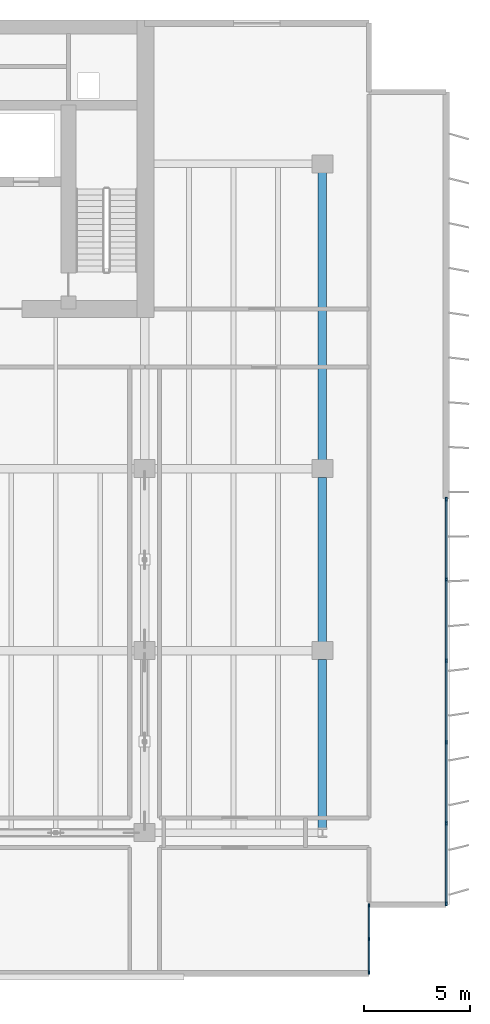
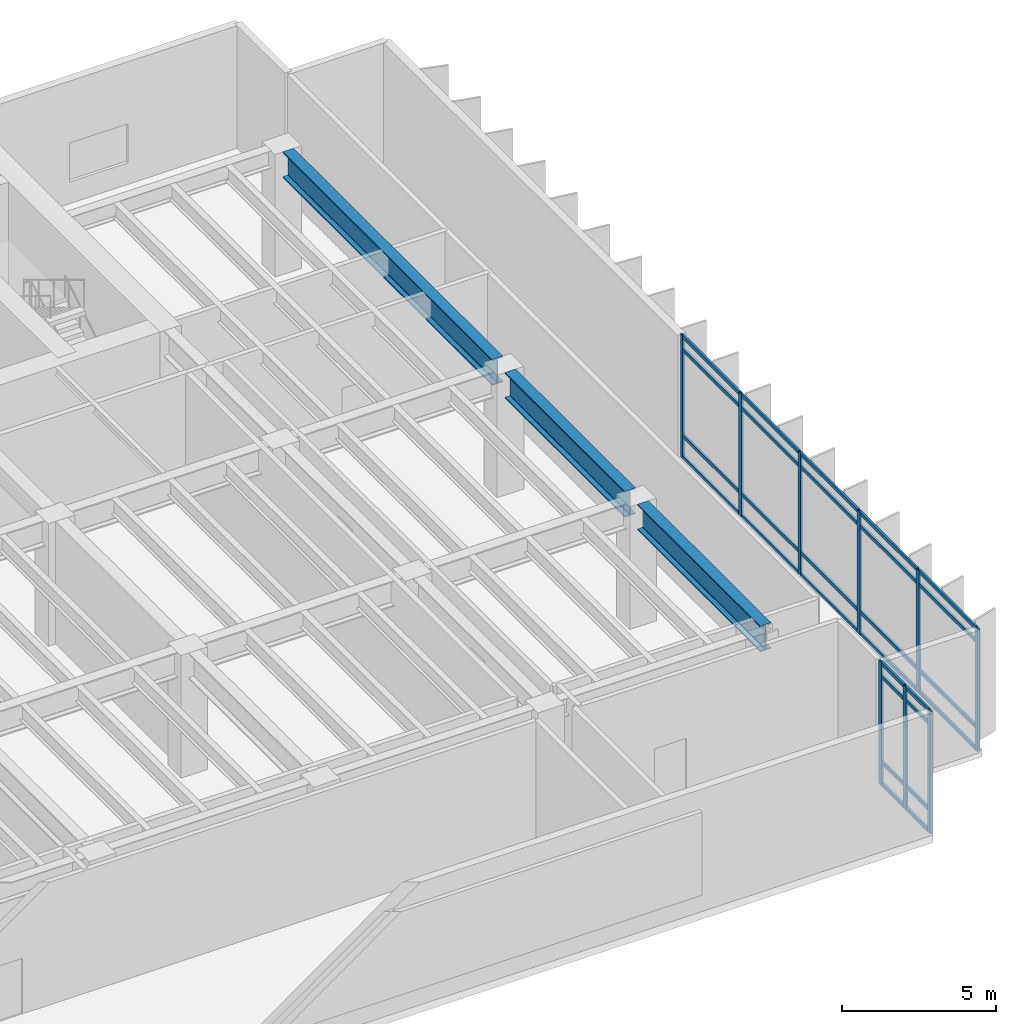
# One storey, part 9 of 18: 37 members, 3 beams, 2 elements without a shape of their own.
"""IFC4 building model written with IfcOpenShell, lengths in metres."""

from ifc_helpers import new_model, si_unit, direction, frame, origin, origin_2d, place, context, subcontext, project, spatial, rectangle, i_section, extrude, material, layer, layer_set, material_profile, profile_set, type_object, element, aggregate, save


model = new_model("IFC4")

# Units and contexts
model_context = context("Model", 3, precision=1e-05, world=origin(), true_north=direction((0.0, 1.0)))
body_context = subcontext(model_context, "Body", "Model", "MODEL_VIEW")
ifc_project = project(units=[si_unit("LENGTHUNIT", "METRE"), si_unit("AREAUNIT", "SQUARE_METRE"), si_unit("VOLUMEUNIT", "CUBIC_METRE"), si_unit("PLANEANGLEUNIT", "RADIAN"), si_unit("MASSUNIT", "GRAM", prefix="KILO")], contexts=[model_context])

# Site, building, storey
site_placement = place(None, origin())
site = spatial("IfcSite", under=ifc_project, at=site_placement, CompositionType="ELEMENT")
building_placement = place(site_placement, origin())
building = spatial("IfcBuilding", under=site, at=building_placement, Name="Caelmar Bay Residences", CompositionType="ELEMENT")
storey_placement = place(building_placement, frame((0.0, 0.0, 152.10009765625)))
storey = spatial("IfcBuildingStorey", under=building, at=storey_placement, Name="L42", CompositionType="ELEMENT", Elevation=152.10009765625)

# Beams
ifc_material_1 = material(Name="Steel ASTM A992 Grade 50", Category="steel")
ifc_material_profile_1 = material_profile(ifc_material_1, i_section(OverallWidth=0.404052734375, OverallDepth=1.02099609375, WebThickness=0.025390625, FlangeThickness=0.0458984375, FilletRadius=0.02294921875, at=origin_2d()), Name="W40X324")
ifc_profile_set_1 = profile_set([ifc_material_profile_1], Name="Steel ASTM A992 Grade 50")
beam_type = type_object("IfcBeamType", Name="BM-GRD-W40X324", PredefinedType="BEAM", material=ifc_profile_set_1)
beam_1_placement = place(storey_placement, frame((67.89990234375, 12.427490234375, 4.33935546875), z_axis=(0.0, 1.0, 0.0), x_axis=(-1.0, 0.0, 0.0)))
element("IfcBeam", 1, at=beam_1_placement, inside=storey, type_object=beam_type, Name="L42 North-South Girder X=67.90 (12.2-20.8)", PredefinedType="BEAM", context=body_context, shape_type="SweptSolid", body=[
    extrude(i_section(OverallWidth=0.404052734375, OverallDepth=1.02099609375, WebThickness=0.025390625, FlangeThickness=0.0458984375, FilletRadius=0.02294921875, at=origin_2d()), origin(), (0.0, 0.0, 1.0), 7.95751953125),
])
beam_2_placement = place(storey_placement, frame((67.89990234375, 21.215087890625, 4.33935546875), z_axis=(0.0, 1.0, 0.0), x_axis=(-1.0, 0.0, 0.0)))
element("IfcBeam", 2, at=beam_2_placement, inside=storey, type_object=beam_type, Name="L42 North-South Girder X=67.90 (20.8-29.4)", PredefinedType="BEAM", context=body_context, shape_type="SweptSolid", body=[
    extrude(i_section(OverallWidth=0.404052734375, OverallDepth=1.02099609375, WebThickness=0.025390625, FlangeThickness=0.0458984375, FilletRadius=0.02294921875, at=origin_2d()), origin(), (0.0, 0.0, 1.0), 7.77001953125),
])
beam_3_placement = place(storey_placement, frame((67.89990234375, 29.81494140625, 4.33935546875), z_axis=(0.0, 1.0, 0.0), x_axis=(-1.0, 0.0, 0.0)))
element("IfcBeam", 3, at=beam_3_placement, inside=storey, type_object=beam_type, Name="L42 North-South Girder X=67.90 (29.4-43.8)", PredefinedType="BEAM", context=body_context, shape_type="SweptSolid", body=[
    extrude(i_section(OverallWidth=0.404052734375, OverallDepth=1.02099609375, WebThickness=0.025390625, FlangeThickness=0.0458984375, FilletRadius=0.02294921875, at=origin_2d()), origin(), (0.0, 0.0, 1.0), 13.570068359375),
])

# Curtain wall, members
ifc_material_2 = material(Name="Anodised bronze aluminium 6063-T6 and laminated glass", Category="aluminium")
ifc_layer_1 = layer(ifc_material_2, 0.179931640625)
ifc_layer_set_1 = layer_set([ifc_layer_1], Name="Anodised bronze aluminium 6063-T6 and laminated glass")
curtain_wall_type_1 = type_object("IfcCurtainWallType", Name="CW6-NTC", PredefinedType="NOTDEFINED", material=ifc_layer_set_1)
curtain_wall_1_placement = place(storey_placement, origin())
curtain_wall_1 = element("IfcCurtainWall", 4, at=curtain_wall_1_placement, inside=storey, type_object=curtain_wall_type_1, Name="CW6 curtain wall L42", PredefinedType="NOTDEFINED")
ifc_material_3 = material(Name="Anodised bronze aluminium 6063-T6", Category="aluminium")
ifc_material_profile_2 = material_profile(ifc_material_3, rectangle(XDim=0.080078125, YDim=0.179931640625, at=origin_2d()), Name="CWM-80X180")
ifc_profile_set_2 = profile_set([ifc_material_profile_2], Name="Anodised bronze aluminium 6063-T6")
member_type_1 = type_object("IfcMemberType", Name="CWM-180", PredefinedType="MULLION", material=ifc_profile_set_2)
member_1_placement = place(storey_placement, frame((70.10009765625, 5.590087890625, 0.0), z_axis=(0.0, 0.0, 1.0), x_axis=(-1.0, 0.0, 0.0)))
member_1 = element("IfcMember", 5, at=member_1_placement, type_object=member_type_1, Name="CW6 mullion 1", PredefinedType="MULLION", context=body_context, shape_type="SweptSolid", body=[
    extrude(rectangle(XDim=0.080078125, YDim=0.179931640625, at=origin_2d()), origin(), (0.0, 0.0, 1.0), 4.849853515625),
])
member_2_placement = place(storey_placement, frame((70.10009765625, 7.175048828125, 0.0), z_axis=(0.0, 0.0, 1.0), x_axis=(-1.0, 0.0, 0.0)))
member_2 = element("IfcMember", 6, at=member_2_placement, type_object=member_type_1, Name="CW6 mullion 2", PredefinedType="MULLION", context=body_context, shape_type="SweptSolid", body=[
    extrude(rectangle(XDim=0.080078125, YDim=0.179931640625, at=origin_2d()), origin(), (0.0, 0.0, 1.0), 4.849853515625),
])
member_3_placement = place(storey_placement, frame((70.10009765625, 8.760009765625, 0.0), z_axis=(0.0, 0.0, 1.0), x_axis=(-1.0, 0.0, 0.0)))
member_3 = element("IfcMember", 7, at=member_3_placement, type_object=member_type_1, Name="CW6 mullion 3", PredefinedType="MULLION", context=body_context, shape_type="SweptSolid", body=[
    extrude(rectangle(XDim=0.080078125, YDim=0.179931640625, at=origin_2d()), origin(), (0.0, 0.0, 1.0), 4.849853515625),
])

ifc_layer_2 = layer(ifc_material_2, 0.179931640625)
ifc_layer_set_2 = layer_set([ifc_layer_2], Name="Anodised bronze aluminium 6063-T6 and laminated glass")
curtain_wall_type_2 = type_object("IfcCurtainWallType", Name="CW3-Z2", PredefinedType="NOTDEFINED", material=ifc_layer_set_2)
curtain_wall_2_placement = place(storey_placement, origin())
curtain_wall_2 = element("IfcCurtainWall", 8, at=curtain_wall_2_placement, inside=storey, type_object=curtain_wall_type_2, Name="CW3 curtain wall L42", PredefinedType="NOTDEFINED")
member_4_placement = place(storey_placement, frame((73.75, 27.9599609375, 0.0), z_axis=(0.0, 0.0, 1.0), x_axis=(1.0, 0.0, 0.0)))
member_4 = element("IfcMember", 9, at=member_4_placement, type_object=member_type_1, Name="CW3 mullion 1", PredefinedType="MULLION", context=body_context, shape_type="SweptSolid", body=[
    extrude(rectangle(XDim=0.080078125, YDim=0.179931640625, at=origin_2d()), origin(), (0.0, 0.0, 1.0), 4.849853515625),
])
member_5_placement = place(storey_placement, frame((73.75, 24.159912109375, 0.0), z_axis=(0.0, 0.0, 1.0), x_axis=(1.0, 0.0, 0.0)))
member_5 = element("IfcMember", 10, at=member_5_placement, type_object=member_type_1, Name="CW3 mullion 2", PredefinedType="MULLION", context=body_context, shape_type="SweptSolid", body=[
    extrude(rectangle(XDim=0.080078125, YDim=0.179931640625, at=origin_2d()), origin(), (0.0, 0.0, 1.0), 4.849853515625),
])
member_6_placement = place(storey_placement, frame((73.75, 20.320068359375, 0.0), z_axis=(0.0, 0.0, 1.0), x_axis=(1.0, 0.0, 0.0)))
member_6 = element("IfcMember", 11, at=member_6_placement, type_object=member_type_1, Name="CW3 mullion 3", PredefinedType="MULLION", context=body_context, shape_type="SweptSolid", body=[
    extrude(rectangle(XDim=0.080078125, YDim=0.179931640625, at=origin_2d()), origin(), (0.0, 0.0, 1.0), 4.849853515625),
])
member_7_placement = place(storey_placement, frame((73.75, 16.47998046875, 0.0), z_axis=(0.0, 0.0, 1.0), x_axis=(1.0, 0.0, 0.0)))
member_7 = element("IfcMember", 12, at=member_7_placement, type_object=member_type_1, Name="CW3 mullion 4", PredefinedType="MULLION", context=body_context, shape_type="SweptSolid", body=[
    extrude(rectangle(XDim=0.080078125, YDim=0.179931640625, at=origin_2d()), origin(), (0.0, 0.0, 1.0), 4.849853515625),
])
member_8_placement = place(storey_placement, frame((73.75, 12.639892578125, 0.0), z_axis=(0.0, 0.0, 1.0), x_axis=(1.0, 0.0, 0.0)))
member_8 = element("IfcMember", 13, at=member_8_placement, type_object=member_type_1, Name="CW3 mullion 5", PredefinedType="MULLION", context=body_context, shape_type="SweptSolid", body=[
    extrude(rectangle(XDim=0.080078125, YDim=0.179931640625, at=origin_2d()), origin(), (0.0, 0.0, 1.0), 4.849853515625),
])
member_9_placement = place(storey_placement, frame((73.75, 8.840087890625, 0.0), z_axis=(0.0, 0.0, 1.0), x_axis=(1.0, 0.0, 0.0)))
member_9 = element("IfcMember", 14, at=member_9_placement, type_object=member_type_1, Name="CW3 mullion 6", PredefinedType="MULLION", context=body_context, shape_type="SweptSolid", body=[
    extrude(rectangle(XDim=0.080078125, YDim=0.179931640625, at=origin_2d()), origin(), (0.0, 0.0, 1.0), 4.849853515625),
])

# Member
ifc_material_profile_3 = material_profile(ifc_material_3, rectangle(XDim=0.080078125, YDim=0.139892578125, at=origin_2d()), Name="CWT-80X140")
ifc_profile_set_3 = profile_set([ifc_material_profile_3], Name="Anodised bronze aluminium 6063-T6")
member_type_2 = type_object("IfcMemberType", Name="CWT-140", PredefinedType="NOTDEFINED", material=ifc_profile_set_3)
member_10_placement = place(storey_placement, frame((70.10009765625, 5.6298828125, 0.039794921875), z_axis=(0.0, 1.0, 0.0), x_axis=(-1.0, 0.0, 0.0)))
member_10 = element("IfcMember", 15, at=member_10_placement, type_object=member_type_2, Name="CW6 transom 1.1", ObjectType="TRANSOM", PredefinedType="USERDEFINED", context=body_context, shape_type="SweptSolid", body=[
    extrude(rectangle(XDim=0.080078125, YDim=0.139892578125, at=origin_2d()), origin(), (0.0, 0.0, 1.0), 1.505126953125),
])

member_11_placement = place(storey_placement, frame((70.10009765625, 5.6298828125, 0.89990234375), z_axis=(0.0, 1.0, 0.0), x_axis=(-1.0, 0.0, 0.0)))
member_11 = element("IfcMember", 16, at=member_11_placement, type_object=member_type_2, Name="CW6 transom 1.2", ObjectType="TRANSOM", PredefinedType="USERDEFINED", context=body_context, shape_type="SweptSolid", body=[
    extrude(rectangle(XDim=0.080078125, YDim=0.139892578125, at=origin_2d()), origin(), (0.0, 0.0, 1.0), 1.505126953125),
])

member_12_placement = place(storey_placement, frame((70.10009765625, 5.6298828125, 4.2998046875), z_axis=(0.0, 1.0, 0.0), x_axis=(-1.0, 0.0, 0.0)))
member_12 = element("IfcMember", 17, at=member_12_placement, type_object=member_type_2, Name="CW6 transom 1.3", ObjectType="TRANSOM", PredefinedType="USERDEFINED", context=body_context, shape_type="SweptSolid", body=[
    extrude(rectangle(XDim=0.080078125, YDim=0.139892578125, at=origin_2d()), origin(), (0.0, 0.0, 1.0), 1.505126953125),
])

member_13_placement = place(storey_placement, frame((70.10009765625, 5.6298828125, 4.809814453125), z_axis=(0.0, 1.0, 0.0), x_axis=(-1.0, 0.0, 0.0)))
member_13 = element("IfcMember", 18, at=member_13_placement, type_object=member_type_2, Name="CW6 transom 1.4", ObjectType="TRANSOM", PredefinedType="USERDEFINED", context=body_context, shape_type="SweptSolid", body=[
    extrude(rectangle(XDim=0.080078125, YDim=0.139892578125, at=origin_2d()), origin(), (0.0, 0.0, 1.0), 1.505126953125),
])

member_14_placement = place(storey_placement, frame((70.10009765625, 7.215087890625, 0.039794921875), z_axis=(0.0, 1.0, 0.0), x_axis=(-1.0, 0.0, 0.0)))
member_14 = element("IfcMember", 19, at=member_14_placement, type_object=member_type_2, Name="CW6 transom 2.1", ObjectType="TRANSOM", PredefinedType="USERDEFINED", context=body_context, shape_type="SweptSolid", body=[
    extrude(rectangle(XDim=0.080078125, YDim=0.139892578125, at=origin_2d()), origin(), (0.0, 0.0, 1.0), 1.5048828125),
])

member_15_placement = place(storey_placement, frame((70.10009765625, 7.215087890625, 0.89990234375), z_axis=(0.0, 1.0, 0.0), x_axis=(-1.0, 0.0, 0.0)))
member_15 = element("IfcMember", 20, at=member_15_placement, type_object=member_type_2, Name="CW6 transom 2.2", ObjectType="TRANSOM", PredefinedType="USERDEFINED", context=body_context, shape_type="SweptSolid", body=[
    extrude(rectangle(XDim=0.080078125, YDim=0.139892578125, at=origin_2d()), origin(), (0.0, 0.0, 1.0), 1.5048828125),
])

member_16_placement = place(storey_placement, frame((70.10009765625, 7.215087890625, 4.2998046875), z_axis=(0.0, 1.0, 0.0), x_axis=(-1.0, 0.0, 0.0)))
member_16 = element("IfcMember", 21, at=member_16_placement, type_object=member_type_2, Name="CW6 transom 2.3", ObjectType="TRANSOM", PredefinedType="USERDEFINED", context=body_context, shape_type="SweptSolid", body=[
    extrude(rectangle(XDim=0.080078125, YDim=0.139892578125, at=origin_2d()), origin(), (0.0, 0.0, 1.0), 1.5048828125),
])

member_17_placement = place(storey_placement, frame((70.10009765625, 7.215087890625, 4.809814453125), z_axis=(0.0, 1.0, 0.0), x_axis=(-1.0, 0.0, 0.0)))
member_17 = element("IfcMember", 22, at=member_17_placement, type_object=member_type_2, Name="CW6 transom 2.4", ObjectType="TRANSOM", PredefinedType="USERDEFINED", context=body_context, shape_type="SweptSolid", body=[
    extrude(rectangle(XDim=0.080078125, YDim=0.139892578125, at=origin_2d()), origin(), (0.0, 0.0, 1.0), 1.5048828125),
])

aggregate(curtain_wall_1, [member_1, member_2, member_3, member_10, member_11, member_12, member_13, member_14, member_15, member_16, member_17])

member_18_placement = place(storey_placement, frame((73.75, 27.919921875, 0.039794921875), z_axis=(0.0, -1.0, 0.0), x_axis=(1.0, 0.0, 0.0)))
member_18 = element("IfcMember", 23, at=member_18_placement, type_object=member_type_2, Name="CW3 transom 1.1", ObjectType="TRANSOM", PredefinedType="USERDEFINED", context=body_context, shape_type="SweptSolid", body=[
    extrude(rectangle(XDim=0.080078125, YDim=0.139892578125, at=origin_2d()), origin(), (0.0, 0.0, 1.0), 3.719970703125),
])

member_19_placement = place(storey_placement, frame((73.75, 27.919921875, 0.89990234375), z_axis=(0.0, -1.0, 0.0), x_axis=(1.0, 0.0, 0.0)))
member_19 = element("IfcMember", 24, at=member_19_placement, type_object=member_type_2, Name="CW3 transom 1.2", ObjectType="TRANSOM", PredefinedType="USERDEFINED", context=body_context, shape_type="SweptSolid", body=[
    extrude(rectangle(XDim=0.080078125, YDim=0.139892578125, at=origin_2d()), origin(), (0.0, 0.0, 1.0), 3.719970703125),
])

member_20_placement = place(storey_placement, frame((73.75, 27.919921875, 4.2998046875), z_axis=(0.0, -1.0, 0.0), x_axis=(1.0, 0.0, 0.0)))
member_20 = element("IfcMember", 25, at=member_20_placement, type_object=member_type_2, Name="CW3 transom 1.3", ObjectType="TRANSOM", PredefinedType="USERDEFINED", context=body_context, shape_type="SweptSolid", body=[
    extrude(rectangle(XDim=0.080078125, YDim=0.139892578125, at=origin_2d()), origin(), (0.0, 0.0, 1.0), 3.719970703125),
])

member_21_placement = place(storey_placement, frame((73.75, 27.919921875, 4.809814453125), z_axis=(0.0, -1.0, 0.0), x_axis=(1.0, 0.0, 0.0)))
member_21 = element("IfcMember", 26, at=member_21_placement, type_object=member_type_2, Name="CW3 transom 1.4", ObjectType="TRANSOM", PredefinedType="USERDEFINED", context=body_context, shape_type="SweptSolid", body=[
    extrude(rectangle(XDim=0.080078125, YDim=0.139892578125, at=origin_2d()), origin(), (0.0, 0.0, 1.0), 3.719970703125),
])

member_22_placement = place(storey_placement, frame((73.75, 24.1201171875, 0.039794921875), z_axis=(0.0, -1.0, 0.0), x_axis=(1.0, 0.0, 0.0)))
member_22 = element("IfcMember", 27, at=member_22_placement, type_object=member_type_2, Name="CW3 transom 2.1", ObjectType="TRANSOM", PredefinedType="USERDEFINED", context=body_context, shape_type="SweptSolid", body=[
    extrude(rectangle(XDim=0.080078125, YDim=0.139892578125, at=origin_2d()), origin(), (0.0, 0.0, 1.0), 3.760009765625),
])

member_23_placement = place(storey_placement, frame((73.75, 24.1201171875, 0.89990234375), z_axis=(0.0, -1.0, 0.0), x_axis=(1.0, 0.0, 0.0)))
member_23 = element("IfcMember", 28, at=member_23_placement, type_object=member_type_2, Name="CW3 transom 2.2", ObjectType="TRANSOM", PredefinedType="USERDEFINED", context=body_context, shape_type="SweptSolid", body=[
    extrude(rectangle(XDim=0.080078125, YDim=0.139892578125, at=origin_2d()), origin(), (0.0, 0.0, 1.0), 3.760009765625),
])

member_24_placement = place(storey_placement, frame((73.75, 24.1201171875, 4.2998046875), z_axis=(0.0, -1.0, 0.0), x_axis=(1.0, 0.0, 0.0)))
member_24 = element("IfcMember", 29, at=member_24_placement, type_object=member_type_2, Name="CW3 transom 2.3", ObjectType="TRANSOM", PredefinedType="USERDEFINED", context=body_context, shape_type="SweptSolid", body=[
    extrude(rectangle(XDim=0.080078125, YDim=0.139892578125, at=origin_2d()), origin(), (0.0, 0.0, 1.0), 3.760009765625),
])

member_25_placement = place(storey_placement, frame((73.75, 24.1201171875, 4.809814453125), z_axis=(0.0, -1.0, 0.0), x_axis=(1.0, 0.0, 0.0)))
member_25 = element("IfcMember", 30, at=member_25_placement, type_object=member_type_2, Name="CW3 transom 2.4", ObjectType="TRANSOM", PredefinedType="USERDEFINED", context=body_context, shape_type="SweptSolid", body=[
    extrude(rectangle(XDim=0.080078125, YDim=0.139892578125, at=origin_2d()), origin(), (0.0, 0.0, 1.0), 3.760009765625),
])

member_26_placement = place(storey_placement, frame((73.75, 20.280029296875, 0.039794921875), z_axis=(0.0, -1.0, 0.0), x_axis=(1.0, 0.0, 0.0)))
member_26 = element("IfcMember", 31, at=member_26_placement, type_object=member_type_2, Name="CW3 transom 3.1", ObjectType="TRANSOM", PredefinedType="USERDEFINED", context=body_context, shape_type="SweptSolid", body=[
    extrude(rectangle(XDim=0.080078125, YDim=0.139892578125, at=origin_2d()), origin(), (0.0, 0.0, 1.0), 3.760009765625),
])

member_27_placement = place(storey_placement, frame((73.75, 20.280029296875, 0.89990234375), z_axis=(0.0, -1.0, 0.0), x_axis=(1.0, 0.0, 0.0)))
member_27 = element("IfcMember", 32, at=member_27_placement, type_object=member_type_2, Name="CW3 transom 3.2", ObjectType="TRANSOM", PredefinedType="USERDEFINED", context=body_context, shape_type="SweptSolid", body=[
    extrude(rectangle(XDim=0.080078125, YDim=0.139892578125, at=origin_2d()), origin(), (0.0, 0.0, 1.0), 3.760009765625),
])

member_28_placement = place(storey_placement, frame((73.75, 20.280029296875, 4.2998046875), z_axis=(0.0, -1.0, 0.0), x_axis=(1.0, 0.0, 0.0)))
member_28 = element("IfcMember", 33, at=member_28_placement, type_object=member_type_2, Name="CW3 transom 3.3", ObjectType="TRANSOM", PredefinedType="USERDEFINED", context=body_context, shape_type="SweptSolid", body=[
    extrude(rectangle(XDim=0.080078125, YDim=0.139892578125, at=origin_2d()), origin(), (0.0, 0.0, 1.0), 3.760009765625),
])

member_29_placement = place(storey_placement, frame((73.75, 20.280029296875, 4.809814453125), z_axis=(0.0, -1.0, 0.0), x_axis=(1.0, 0.0, 0.0)))
member_29 = element("IfcMember", 34, at=member_29_placement, type_object=member_type_2, Name="CW3 transom 3.4", ObjectType="TRANSOM", PredefinedType="USERDEFINED", context=body_context, shape_type="SweptSolid", body=[
    extrude(rectangle(XDim=0.080078125, YDim=0.139892578125, at=origin_2d()), origin(), (0.0, 0.0, 1.0), 3.760009765625),
])

member_30_placement = place(storey_placement, frame((73.75, 16.43994140625, 0.039794921875), z_axis=(0.0, -1.0, 0.0), x_axis=(1.0, 0.0, 0.0)))
member_30 = element("IfcMember", 35, at=member_30_placement, type_object=member_type_2, Name="CW3 transom 4.1", ObjectType="TRANSOM", PredefinedType="USERDEFINED", context=body_context, shape_type="SweptSolid", body=[
    extrude(rectangle(XDim=0.080078125, YDim=0.139892578125, at=origin_2d()), origin(), (0.0, 0.0, 1.0), 3.760009765625),
])

member_31_placement = place(storey_placement, frame((73.75, 16.43994140625, 0.89990234375), z_axis=(0.0, -1.0, 0.0), x_axis=(1.0, 0.0, 0.0)))
member_31 = element("IfcMember", 36, at=member_31_placement, type_object=member_type_2, Name="CW3 transom 4.2", ObjectType="TRANSOM", PredefinedType="USERDEFINED", context=body_context, shape_type="SweptSolid", body=[
    extrude(rectangle(XDim=0.080078125, YDim=0.139892578125, at=origin_2d()), origin(), (0.0, 0.0, 1.0), 3.760009765625),
])

member_32_placement = place(storey_placement, frame((73.75, 16.43994140625, 4.2998046875), z_axis=(0.0, -1.0, 0.0), x_axis=(1.0, 0.0, 0.0)))
member_32 = element("IfcMember", 37, at=member_32_placement, type_object=member_type_2, Name="CW3 transom 4.3", ObjectType="TRANSOM", PredefinedType="USERDEFINED", context=body_context, shape_type="SweptSolid", body=[
    extrude(rectangle(XDim=0.080078125, YDim=0.139892578125, at=origin_2d()), origin(), (0.0, 0.0, 1.0), 3.760009765625),
])

member_33_placement = place(storey_placement, frame((73.75, 16.43994140625, 4.809814453125), z_axis=(0.0, -1.0, 0.0), x_axis=(1.0, 0.0, 0.0)))
member_33 = element("IfcMember", 38, at=member_33_placement, type_object=member_type_2, Name="CW3 transom 4.4", ObjectType="TRANSOM", PredefinedType="USERDEFINED", context=body_context, shape_type="SweptSolid", body=[
    extrude(rectangle(XDim=0.080078125, YDim=0.139892578125, at=origin_2d()), origin(), (0.0, 0.0, 1.0), 3.760009765625),
])

member_34_placement = place(storey_placement, frame((73.75, 12.60009765625, 0.039794921875), z_axis=(0.0, -1.0, 0.0), x_axis=(1.0, 0.0, 0.0)))
member_34 = element("IfcMember", 39, at=member_34_placement, type_object=member_type_2, Name="CW3 transom 5.1", ObjectType="TRANSOM", PredefinedType="USERDEFINED", context=body_context, shape_type="SweptSolid", body=[
    extrude(rectangle(XDim=0.080078125, YDim=0.139892578125, at=origin_2d()), origin(), (0.0, 0.0, 1.0), 3.72021484375),
])

member_35_placement = place(storey_placement, frame((73.75, 12.60009765625, 0.89990234375), z_axis=(0.0, -1.0, 0.0), x_axis=(1.0, 0.0, 0.0)))
member_35 = element("IfcMember", 40, at=member_35_placement, type_object=member_type_2, Name="CW3 transom 5.2", ObjectType="TRANSOM", PredefinedType="USERDEFINED", context=body_context, shape_type="SweptSolid", body=[
    extrude(rectangle(XDim=0.080078125, YDim=0.139892578125, at=origin_2d()), origin(), (0.0, 0.0, 1.0), 3.72021484375),
])

member_36_placement = place(storey_placement, frame((73.75, 12.60009765625, 4.2998046875), z_axis=(0.0, -1.0, 0.0), x_axis=(1.0, 0.0, 0.0)))
member_36 = element("IfcMember", 41, at=member_36_placement, type_object=member_type_2, Name="CW3 transom 5.3", ObjectType="TRANSOM", PredefinedType="USERDEFINED", context=body_context, shape_type="SweptSolid", body=[
    extrude(rectangle(XDim=0.080078125, YDim=0.139892578125, at=origin_2d()), origin(), (0.0, 0.0, 1.0), 3.72021484375),
])

member_37_placement = place(storey_placement, frame((73.75, 12.60009765625, 4.809814453125), z_axis=(0.0, -1.0, 0.0), x_axis=(1.0, 0.0, 0.0)))
member_37 = element("IfcMember", 42, at=member_37_placement, type_object=member_type_2, Name="CW3 transom 5.4", ObjectType="TRANSOM", PredefinedType="USERDEFINED", context=body_context, shape_type="SweptSolid", body=[
    extrude(rectangle(XDim=0.080078125, YDim=0.139892578125, at=origin_2d()), origin(), (0.0, 0.0, 1.0), 3.72021484375),
])

aggregate(curtain_wall_2, [member_4, member_5, member_6, member_7, member_8, member_9, member_18, member_19, member_20, member_21, member_22, member_23, member_24, member_25, member_26, member_27, member_28, member_29, member_30, member_31, member_32, member_33, member_34, member_35, member_36, member_37])

save(model, "model.ifc")
